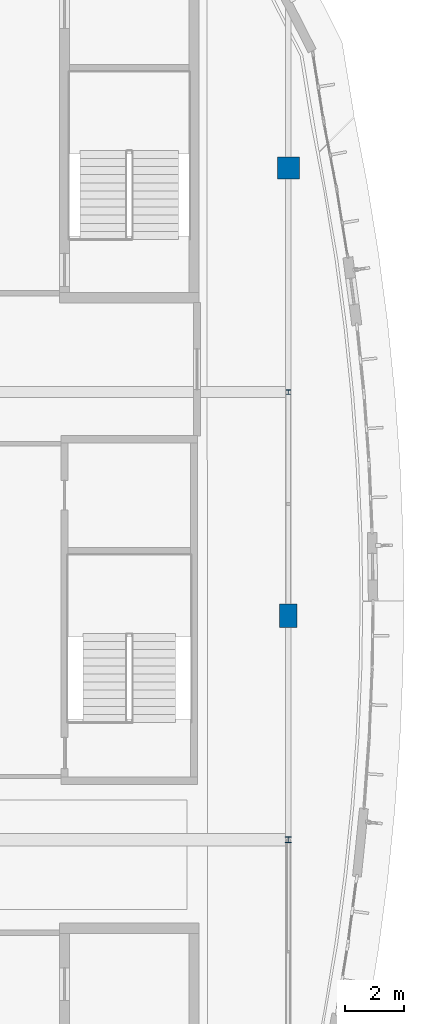
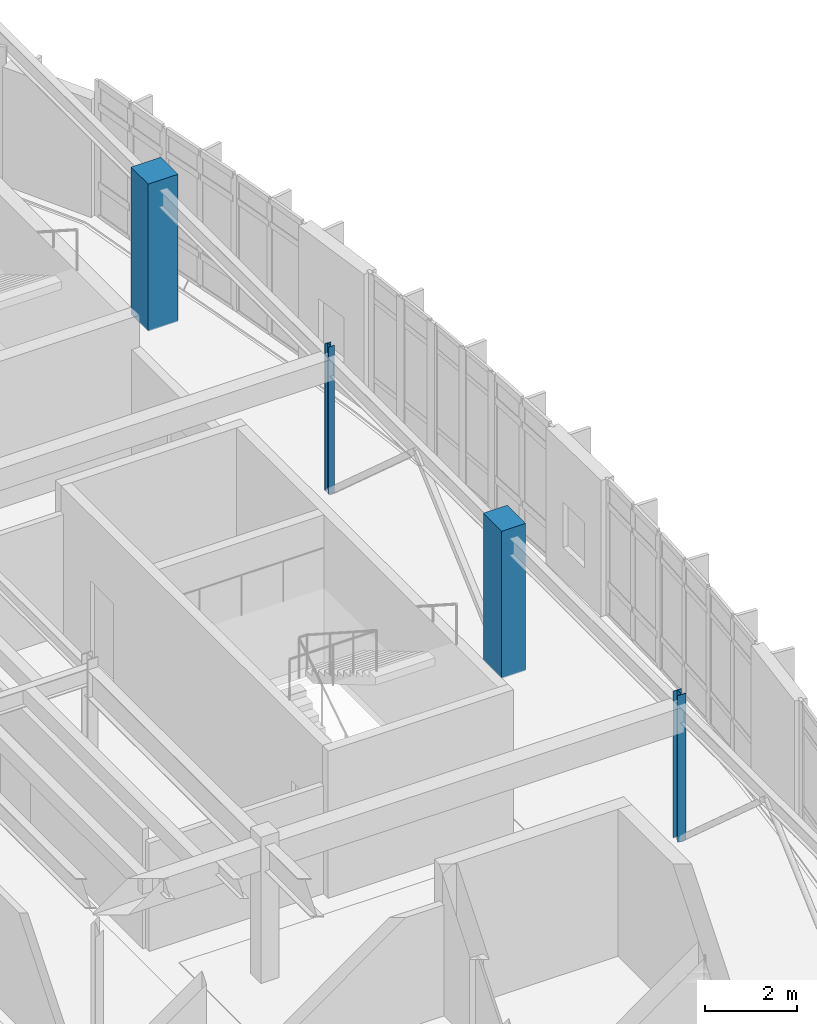
# One storey, part 8 of 105: 4 columns.
"""IFC4 building model written with IfcOpenShell, lengths in metres."""

from ifc_helpers import new_model, si_unit, direction, frame, origin, origin_2d, place, context, subcontext, project, spatial, rectangle, i_section, extrude, material, material_profile, profile_set, type_object, element, save


model = new_model("IFC4")

# Units and contexts
model_context = context("Model", 3, precision=1e-05, world=origin(), true_north=direction((0.0, 1.0)))
body_context = subcontext(model_context, "Body", "Model", "MODEL_VIEW")
ifc_project = project(units=[si_unit("LENGTHUNIT", "METRE"), si_unit("AREAUNIT", "SQUARE_METRE"), si_unit("VOLUMEUNIT", "CUBIC_METRE"), si_unit("PLANEANGLEUNIT", "RADIAN"), si_unit("MASSUNIT", "GRAM", prefix="KILO")], contexts=[model_context])

# Site, building, storey
site_placement = place(None, origin())
site = spatial("IfcSite", under=ifc_project, at=site_placement, CompositionType="ELEMENT")
building_placement = place(site_placement, origin())
building = spatial("IfcBuilding", under=site, at=building_placement, Name="Corveleigh Park Community Centre", CompositionType="ELEMENT")
storey_placement = place(building_placement, frame((0.0, 0.0, 8.699951171875)))
storey = spatial("IfcBuildingStorey", under=building, at=storey_placement, Name="L02", CompositionType="ELEMENT", Elevation=8.699951171875)

# Columns
ifc_material_1 = material(Name="Concrete C40/50", Category="concrete")
ifc_material_profile_1 = material_profile(ifc_material_1, rectangle(XDim=0.60009765625, YDim=0.800048828125, at=origin_2d()), Name="RC-600x800", Category="concrete")
ifc_profile_set_1 = profile_set([ifc_material_profile_1], Name="Concrete C40/50")
column_type_1 = type_object("IfcColumnType", Name="COL-RC-600x800", PredefinedType="COLUMN", material=ifc_profile_set_1)
column_1_placement = place(storey_placement, frame((168.39990234375, 81.39990234375, 0.0), z_axis=(0.0, 0.0, 1.0), x_axis=(1.0, 0.0, 0.0)))
element("IfcColumn", 1, at=column_1_placement, inside=storey, type_object=column_type_1, Name="Column V4-X7Y3 L02", PredefinedType="COLUMN", context=body_context, shape_type="SweptSolid", body=[
    extrude(rectangle(XDim=0.60009765625, YDim=0.800048828125, at=origin_2d()), origin(), (0.0, 0.0, 1.0), 3.900146484375),
])
ifc_material_profile_2 = material_profile(ifc_material_1, rectangle(XDim=0.75, YDim=0.75, at=origin_2d()), Name="RC-750x750", Category="concrete")
ifc_profile_set_2 = profile_set([ifc_material_profile_2], Name="Concrete C40/50")
column_type_2 = type_object("IfcColumnType", Name="COL-RC-750x750", PredefinedType="COLUMN", material=ifc_profile_set_2)
column_2_placement = place(storey_placement, frame((168.39990234375, 96.60009765625, 0.0), z_axis=(0.0, 0.0, 1.0), x_axis=(1.0, 0.0, 0.0)))
element("IfcColumn", 2, at=column_2_placement, inside=storey, type_object=column_type_2, Name="Column V4-X7Y5 L02", PredefinedType="COLUMN", context=body_context, shape_type="SweptSolid", body=[
    extrude(rectangle(XDim=0.75, YDim=0.75, at=origin_2d()), origin(), (0.0, 0.0, 1.0), 3.900146484375),
])
ifc_material_2 = material(Name="Steel S355", Category="steel")
ifc_material_profile_3 = material_profile(ifc_material_2, i_section(OverallWidth=0.154296875, OverallDepth=0.161865234375, WebThickness=0.008056640625, FlangeThickness=0.011474609375, at=origin_2d()), Name="UKC 152x152x37", Category="steel")
ifc_profile_set_3 = profile_set([ifc_material_profile_3], Name="Steel S355")
column_type_3 = type_object("IfcColumnType", Name="COL-STL-UKC152x37", PredefinedType="COLUMN", material=ifc_profile_set_3)
column_3_placement = place(storey_placement, frame((168.39990234375, 89.0, 0.0), z_axis=(0.0, 0.0, 1.0), x_axis=(1.0, 0.0, 0.0)))
element("IfcColumn", 3, at=column_3_placement, inside=storey, type_object=column_type_3, Name="Column V4-X7Y4 L02", PredefinedType="COLUMN", context=body_context, shape_type="SweptSolid", body=[
    extrude(i_section(OverallWidth=0.154296875, OverallDepth=0.161865234375, WebThickness=0.008056640625, FlangeThickness=0.011474609375, at=origin_2d()), origin(), (0.0, 0.0, 1.0), 3.900146484375),
])
ifc_material_profile_4 = material_profile(ifc_material_2, i_section(OverallWidth=0.204345703125, OverallDepth=0.206298828125, WebThickness=0.0078125, FlangeThickness=0.012451171875, at=origin_2d()), Name="UKC 203x203x52", Category="steel")
ifc_profile_set_4 = profile_set([ifc_material_profile_4], Name="Steel S355")
column_type_4 = type_object("IfcColumnType", Name="COL-STL-UKC203x52", PredefinedType="COLUMN", material=ifc_profile_set_4)
column_4_placement = place(storey_placement, frame((168.39990234375, 73.800048828125, 0.0), z_axis=(0.0, 0.0, 1.0), x_axis=(1.0, 0.0, 0.0)))
element("IfcColumn", 4, at=column_4_placement, inside=storey, type_object=column_type_4, Name="Column V4-X7Y2 L02", PredefinedType="COLUMN", context=body_context, shape_type="SweptSolid", body=[
    extrude(i_section(OverallWidth=0.204345703125, OverallDepth=0.206298828125, WebThickness=0.0078125, FlangeThickness=0.012451171875, at=origin_2d()), origin(), (0.0, 0.0, 1.0), 3.900146484375),
])

save(model, "model.ifc")
